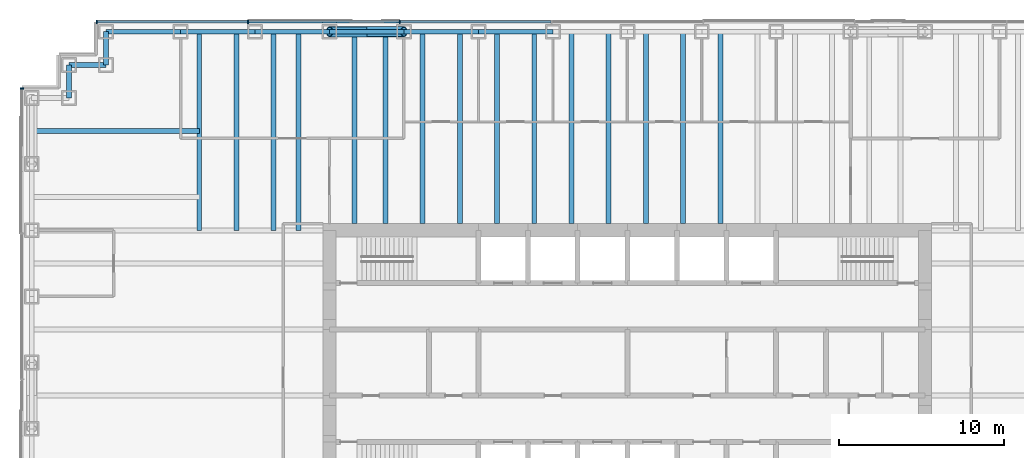
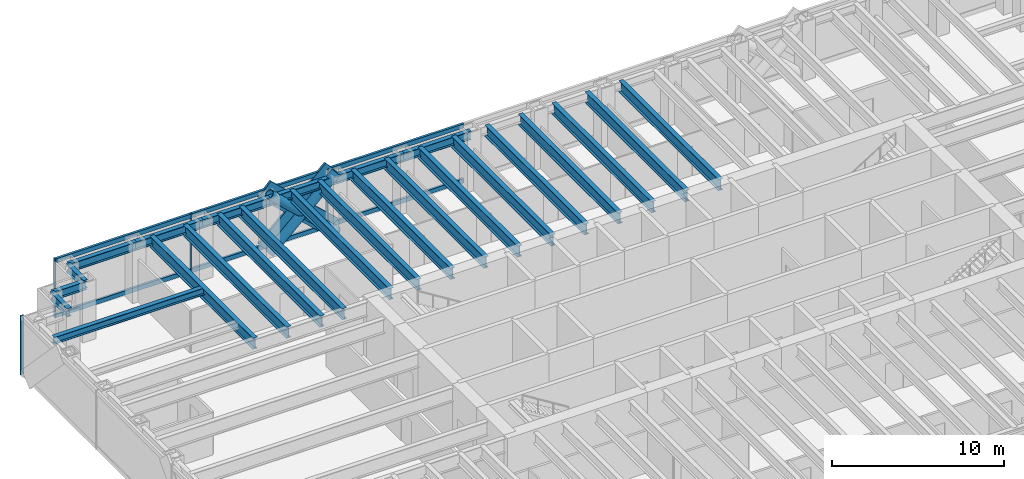
# One storey, part 5 of 14: 25 beams, 14 members, 2 elements without a shape of their own.
"""IFC4 building model written with IfcOpenShell, lengths in metres."""

from ifc_helpers import new_model, si_unit, direction, frame, origin, origin_2d, place, context, subcontext, project, spatial, rectangle, hollow_circle, i_section, extrude, material, material_profile, profile_set, type_object, element, aggregate, save


model = new_model("IFC4")

# Units and contexts
model_context = context("Model", 3, precision=1e-05, world=origin(), true_north=direction((0.0, 1.0)))
body_context = subcontext(model_context, "Body", "Model", "MODEL_VIEW")
ifc_project = project(units=[si_unit("LENGTHUNIT", "METRE"), si_unit("AREAUNIT", "SQUARE_METRE"), si_unit("VOLUMEUNIT", "CUBIC_METRE"), si_unit("PLANEANGLEUNIT", "RADIAN"), si_unit("MASSUNIT", "GRAM", prefix="KILO")], contexts=[model_context])

# Site, building, storey
site_placement = place(None, origin())
site = spatial("IfcSite", under=ifc_project, at=site_placement, CompositionType="ELEMENT")
building_placement = place(site_placement, origin())
building = spatial("IfcBuilding", under=site, at=building_placement, Name="Rheinbord Bourse Tower", CompositionType="ELEMENT")
storey_placement = place(building_placement, frame((0.0, 0.0, 198.39990234375)))
storey = spatial("IfcBuildingStorey", under=building, at=storey_placement, Name="L44", CompositionType="ELEMENT", Elevation=198.39990234375)

# Curtain wall, members
ifc_material_1 = material(Name="Dark glass and black aluminium", Category="aluminium")
curtain_wall_type = type_object("IfcCurtainWallType", Name="CW2 DARK GLASS CURTAIN WALL", PredefinedType="USERDEFINED", material=ifc_material_1)
curtain_wall_1_placement = place(storey_placement, origin())
curtain_wall_1 = element("IfcCurtainWall", 1, at=curtain_wall_1_placement, inside=storey, type_object=curtain_wall_type, Name="Curtain wall CW2 N L44", ObjectType="UNITISED CURTAIN WALL", PredefinedType="USERDEFINED")
ifc_material_2 = material(Name="Black anodised aluminium", Category="aluminium")
ifc_material_profile_1 = material_profile(ifc_material_2, rectangle(XDim=0.159912109375, YDim=1.2099609375, at=origin_2d()), Name="CW2 DIAGONAL MULLION 1210x160")
ifc_profile_set_1 = profile_set([ifc_material_profile_1], Name="Black anodised aluminium")
member_type_1 = type_object("IfcMemberType", Name="CW2 BLACK DIAGONAL MULLION", PredefinedType="USERDEFINED", material=ifc_profile_set_1)
member_1_placement = place(storey_placement, frame((18.0, 44.60009765625, 0.0), z_axis=(0.731039441158, 0.0, 0.682335207557), x_axis=(0.0, 1.0, 0.0)))
member_1 = element("IfcMember", 2, at=member_1_placement, type_object=member_type_1, Name="CW2 diagonal mullion b", ObjectType="DIAGONAL MULLION", PredefinedType="USERDEFINED", context=body_context, shape_type="SweptSolid", body=[
    extrude(rectangle(XDim=0.159912109375, YDim=1.2099609375, at=origin_2d()), origin(), (0.0, 0.0, 1.0), 6.155517578125),
])
member_2_placement = place(storey_placement, frame((22.5, 44.60009765625, 0.0), z_axis=(-0.731039441158, 0.0, 0.682335207557), x_axis=(0.0, -1.0, 0.0)))
member_2 = element("IfcMember", 3, at=member_2_placement, type_object=member_type_1, Name="CW2 diagonal mullion c", ObjectType="DIAGONAL MULLION", PredefinedType="USERDEFINED", context=body_context, shape_type="SweptSolid", body=[
    extrude(rectangle(XDim=0.159912109375, YDim=1.2099609375, at=origin_2d()), origin(), (0.0, 0.0, 1.0), 6.155517578125),
])
ifc_material_3 = material(Name="Black anodised aluminium", Category="aluminium")
ifc_material_profile_2 = material_profile(ifc_material_3, rectangle(XDim=0.219970703125, YDim=0.070068359375, at=origin_2d()), Name="CW2 MULLION 70x220")
ifc_profile_set_2 = profile_set([ifc_material_profile_2], Name="Black anodised aluminium")
member_type_2 = type_object("IfcMemberType", Name="CW2 BLACK MULLION", PredefinedType="MULLION", material=ifc_profile_set_2)
member_3_placement = place(storey_placement, frame((22.242919921875, 44.60009765625, 0.0), z_axis=(0.0, 0.0, 1.0), x_axis=(0.0, -1.0, 0.0)))
member_3 = element("IfcMember", 4, at=member_3_placement, type_object=member_type_2, Name="CW2 mullion 6", PredefinedType="MULLION", context=body_context, shape_type="SweptSolid", body=[
    extrude(rectangle(XDim=0.219970703125, YDim=0.070068359375, at=origin_2d()), origin(), (0.0, 0.0, 1.0), 4.2001953125),
])
member_4_placement = place(storey_placement, frame((13.071533203125, 44.60009765625, 0.0), z_axis=(0.0, 0.0, 1.0), x_axis=(0.0, -1.0, 0.0)))
member_4 = element("IfcMember", 5, at=member_4_placement, type_object=member_type_2, Name="CW2 mullion 7", PredefinedType="MULLION", context=body_context, shape_type="SweptSolid", body=[
    extrude(rectangle(XDim=0.219970703125, YDim=0.070068359375, at=origin_2d()), origin(), (0.0, 0.0, 1.0), 4.2001953125),
])
member_5_placement = place(storey_placement, frame((3.93505859375, 44.60009765625, 0.0), z_axis=(0.0, 0.0, 1.0), x_axis=(0.0, -1.0, 0.0)))
member_5 = element("IfcMember", 6, at=member_5_placement, type_object=member_type_2, Name="CW2 mullion 8", PredefinedType="MULLION", context=body_context, shape_type="SweptSolid", body=[
    extrude(rectangle(XDim=0.219970703125, YDim=0.070068359375, at=origin_2d()), origin(), (0.0, 0.0, 1.0), 4.2001953125),
])

# Curtain wall, member
curtain_wall_2_placement = place(storey_placement, origin())
curtain_wall_2 = element("IfcCurtainWall", 7, at=curtain_wall_2_placement, inside=storey, type_object=curtain_wall_type, Name="Curtain wall CW2 W L44", ObjectType="UNITISED CURTAIN WALL", PredefinedType="USERDEFINED")
member_6_placement = place(storey_placement, frame((-0.60009765625, 40.56494140625, 0.0), z_axis=(0.0, 0.0, 1.0), x_axis=(1.0, 0.0, 0.0)))
member_6 = element("IfcMember", 8, at=member_6_placement, type_object=member_type_2, Name="CW2 mullion 1", PredefinedType="MULLION", context=body_context, shape_type="SweptSolid", body=[
    extrude(rectangle(XDim=0.219970703125, YDim=0.070068359375, at=origin_2d()), origin(), (0.0, 0.0, 1.0), 4.2001953125),
])
aggregate(curtain_wall_2, [member_6])

# Member
ifc_material_4 = material(Name="Black anodised aluminium", Category="aluminium")
ifc_material_profile_3 = material_profile(ifc_material_4, rectangle(XDim=0.159912109375, YDim=0.300048828125, at=origin_2d()), Name="CW2 TRANSOM 300x160")
ifc_profile_set_3 = profile_set([ifc_material_profile_3], Name="Black anodised aluminium")
member_type_3 = type_object("IfcMemberType", Name="CW2 BLACK TRANSOM", PredefinedType="USERDEFINED", material=ifc_profile_set_3)
member_7_placement = place(storey_placement, frame((31.37939453125, 44.60009765625, 0.150146484375), z_axis=(-1.0, 0.0, 0.0), x_axis=(0.0, -1.0, 0.0)))
member_7 = element("IfcMember", 9, at=member_7_placement, type_object=member_type_3, Name="CW2 transom 5.1", ObjectType="TRANSOM", PredefinedType="USERDEFINED", context=body_context, shape_type="SweptSolid", body=[
    extrude(rectangle(XDim=0.159912109375, YDim=0.300048828125, at=origin_2d()), origin(), (0.0, 0.0, 1.0), 9.1015625),
])

member_8_placement = place(storey_placement, frame((31.37939453125, 44.60009765625, 4.050048828125), z_axis=(-1.0, 0.0, 0.0), x_axis=(0.0, -1.0, 0.0)))
member_8 = element("IfcMember", 10, at=member_8_placement, type_object=member_type_3, Name="CW2 transom 5.2", ObjectType="TRANSOM", PredefinedType="USERDEFINED", context=body_context, shape_type="SweptSolid", body=[
    extrude(rectangle(XDim=0.159912109375, YDim=0.300048828125, at=origin_2d()), origin(), (0.0, 0.0, 1.0), 9.1015625),
])

member_9_placement = place(storey_placement, frame((22.207763671875, 44.60009765625, 0.150146484375), z_axis=(-1.0, 0.0, 0.0), x_axis=(0.0, -1.0, 0.0)))
member_9 = element("IfcMember", 11, at=member_9_placement, type_object=member_type_3, Name="CW2 transom 6.1", ObjectType="TRANSOM", PredefinedType="USERDEFINED", context=body_context, shape_type="SweptSolid", body=[
    extrude(rectangle(XDim=0.159912109375, YDim=0.300048828125, at=origin_2d()), origin(), (0.0, 0.0, 1.0), 9.101318359375),
])

member_10_placement = place(storey_placement, frame((22.207763671875, 44.60009765625, 4.050048828125), z_axis=(-1.0, 0.0, 0.0), x_axis=(0.0, -1.0, 0.0)))
member_10 = element("IfcMember", 12, at=member_10_placement, type_object=member_type_3, Name="CW2 transom 6.2", ObjectType="TRANSOM", PredefinedType="USERDEFINED", context=body_context, shape_type="SweptSolid", body=[
    extrude(rectangle(XDim=0.159912109375, YDim=0.300048828125, at=origin_2d()), origin(), (0.0, 0.0, 1.0), 9.101318359375),
])

member_11_placement = place(storey_placement, frame((13.036376953125, 44.60009765625, 0.150146484375), z_axis=(-1.0, 0.0, 0.0), x_axis=(0.0, -1.0, 0.0)))
member_11 = element("IfcMember", 13, at=member_11_placement, type_object=member_type_3, Name="CW2 transom 7.1", ObjectType="TRANSOM", PredefinedType="USERDEFINED", context=body_context, shape_type="SweptSolid", body=[
    extrude(rectangle(XDim=0.159912109375, YDim=0.300048828125, at=origin_2d()), origin(), (0.0, 0.0, 1.0), 9.06640625),
])

member_12_placement = place(storey_placement, frame((13.036376953125, 44.60009765625, 4.050048828125), z_axis=(-1.0, 0.0, 0.0), x_axis=(0.0, -1.0, 0.0)))
member_12 = element("IfcMember", 14, at=member_12_placement, type_object=member_type_3, Name="CW2 transom 7.2", ObjectType="TRANSOM", PredefinedType="USERDEFINED", context=body_context, shape_type="SweptSolid", body=[
    extrude(rectangle(XDim=0.159912109375, YDim=0.300048828125, at=origin_2d()), origin(), (0.0, 0.0, 1.0), 9.06640625),
])

aggregate(curtain_wall_1, [member_3, member_4, member_5, member_7, member_8, member_9, member_10, member_11, member_12, member_1, member_2])

# Beams
ifc_material_5 = material(Name="Steel S460", Category="steel")
ifc_material_profile_4 = material_profile(ifc_material_5, i_section(OverallWidth=0.300048828125, OverallDepth=0.800048828125, WebThickness=0.017578125, FlangeThickness=0.032958984375, at=origin_2d()), Name="HEB 800")
ifc_profile_set_4 = profile_set([ifc_material_profile_4], Name="Steel S460")
beam_type_1 = type_object("IfcBeamType", Name="FLOOR BEAM HEB 800", PredefinedType="BEAM", material=ifc_profile_set_4)
for number, where, z_axis, x_axis, name in (
    (15, (10.125, 44.0, 3.64013671875), (0.0, -1.0, 0.0), (1.0, 0.0, 0.0), "Floor beam N-9a L45"),
    (16, (12.375, 44.0, 3.64013671875), (0.0, -1.0, 0.0), (1.0, 0.0, 0.0), "Floor beam N-9b L45"),
    (17, (14.625, 44.0, 3.64013671875), (0.0, -1.0, 0.0), (1.0, 0.0, 0.0), "Floor beam N-13.5a L45"),
    (18, (16.125, 44.0, 3.64013671875), (0.0, -1.0, 0.0), (1.0, 0.0, 0.0), "Floor beam N-13.5b L45"),
):
    element("IfcBeam", number, at=place(storey_placement, frame(where, z_axis=z_axis, x_axis=x_axis)), inside=storey, type_object=beam_type_1, Name=name, PredefinedType="BEAM", context=body_context, shape_type="SweptSolid", body=[
        extrude(i_section(OverallWidth=0.300048828125, OverallDepth=0.800048828125, WebThickness=0.017578125, FlangeThickness=0.032958984375, at=origin_2d()), origin(), (0.0, 0.0, 1.0), 12.0),
    ])
for number, where, z_axis, x_axis, name in (
    (19, (19.5, 44.0, 3.64013671875), (0.0, -1.0, 0.0), (1.0, 0.0, 0.0), "Floor beam N-18a L45"),
    (20, (21.375, 44.0, 3.64013671875), (0.0, -1.0, 0.0), (1.0, 0.0, 0.0), "Floor beam N-18b L45"),
    (21, (23.625, 44.0, 3.64013671875), (0.0, -1.0, 0.0), (1.0, 0.0, 0.0), "Floor beam N-22.5a L45"),
    (22, (25.875, 44.0, 3.64013671875), (0.0, -1.0, 0.0), (1.0, 0.0, 0.0), "Floor beam N-22.5b L45"),
    (23, (28.125, 44.0, 3.64013671875), (0.0, -1.0, 0.0), (1.0, 0.0, 0.0), "Floor beam N-27a L45"),
    (24, (30.375, 44.0, 3.64013671875), (0.0, -1.0, 0.0), (1.0, 0.0, 0.0), "Floor beam N-27b L45"),
    (25, (32.625, 44.0, 3.64013671875), (0.0, -1.0, 0.0), (1.0, 0.0, 0.0), "Floor beam N-31.5a L45"),
    (26, (34.875, 44.0, 3.64013671875), (0.0, -1.0, 0.0), (1.0, 0.0, 0.0), "Floor beam N-31.5b L45"),
    (27, (37.125, 44.0, 3.64013671875), (0.0, -1.0, 0.0), (1.0, 0.0, 0.0), "Floor beam N-36a L45"),
    (28, (39.375, 44.0, 3.64013671875), (0.0, -1.0, 0.0), (1.0, 0.0, 0.0), "Floor beam N-36b L45"),
    (29, (41.625, 44.0, 3.64013671875), (0.0, -1.0, 0.0), (1.0, 0.0, 0.0), "Floor beam N-40.5a L45"),
):
    element("IfcBeam", number, at=place(storey_placement, frame(where, z_axis=z_axis, x_axis=x_axis)), inside=storey, type_object=beam_type_1, Name=name, PredefinedType="BEAM", context=body_context, shape_type="SweptSolid", body=[
        extrude(i_section(OverallWidth=0.300048828125, OverallDepth=0.800048828125, WebThickness=0.017578125, FlangeThickness=0.032958984375, at=origin_2d()), origin(), (0.0, 0.0, 1.0), 11.60009765625),
    ])

# Members
ifc_material_6 = material(Name="Steel S460", Category="steel")
ifc_material_profile_5 = material_profile(ifc_material_6, hollow_circle(Radius=0.304931640625, WallThickness=0.0400390625, at=origin_2d()), Name="CHS 610x40")
ifc_profile_set_5 = profile_set([ifc_material_profile_5], Name="Steel S460")
member_type_4 = type_object("IfcMemberType", Name="MEGABRACE CHS 610x40", PredefinedType="BRACE", material=ifc_profile_set_5)
for number, where, z_axis, x_axis, name in (
    (30, (18.0, 44.0, 0.0), (0.731039441158, 0.0, 0.682335207557), (0.0, 1.0, 0.0), "Megabrace N face line b L44"),
    (31, (22.5, 44.0, 0.0), (-0.731039441158, 0.0, 0.682335207557), (0.0, -1.0, 0.0), "Megabrace N face line c L44"),
):
    element("IfcMember", number, at=place(storey_placement, frame(where, z_axis=z_axis, x_axis=x_axis)), inside=storey, type_object=member_type_4, Name=name, PredefinedType="BRACE", context=body_context, shape_type="SweptSolid", body=[
        extrude(hollow_circle(Radius=0.304931640625, WallThickness=0.0400390625, at=origin_2d()), origin(), (0.0, 0.0, 1.0), 6.155517578125),
    ])

# Beams
ifc_material_7 = material(Name="Steel S460", Category="steel")
ifc_material_profile_6 = material_profile(ifc_material_7, i_section(OverallWidth=0.300048828125, OverallDepth=0.60009765625, WebThickness=0.015380859375, FlangeThickness=0.030029296875, at=origin_2d()), Name="HEB 600")
ifc_profile_set_6 = profile_set([ifc_material_profile_6], Name="Steel S460")
beam_type_2 = type_object("IfcBeamType", Name="SPANDREL HEB 600", PredefinedType="SPANDREL", material=ifc_profile_set_6)
for number, where, z_axis, x_axis, name in (
    (32, (31.5, 44.0, 3.739990234375), (-1.0, 0.0, 0.0), (0.0, -1.0, 0.0), "Spandrel N-31.5-N-27 under L45"),
    (33, (27.0, 44.0, 3.739990234375), (-1.0, 0.0, 0.0), (0.0, -1.0, 0.0), "Spandrel N-27-N-22.5 under L45"),
    (34, (22.5, 44.0, 3.739990234375), (-1.0, 0.0, 0.0), (0.0, -1.0, 0.0), "Spandrel N-22.5-N-18 under L45"),
    (35, (18.0, 44.0, 3.739990234375), (-1.0, 0.0, 0.0), (0.0, -1.0, 0.0), "Spandrel N-18-N-13.5 under L45"),
    (36, (13.5, 44.0, 3.739990234375), (-1.0, 0.0, 0.0), (0.0, -1.0, 0.0), "Spandrel N-13.5-N-9 under L45"),
    (37, (9.0, 44.0, 3.739990234375), (-1.0, 0.0, 0.0), (0.0, -1.0, 0.0), "Spandrel N-9-NW-E under L45"),
):
    element("IfcBeam", number, at=place(storey_placement, frame(where, z_axis=z_axis, x_axis=x_axis)), inside=storey, type_object=beam_type_2, Name=name, PredefinedType="SPANDREL", context=body_context, shape_type="SweptSolid", body=[
        extrude(i_section(OverallWidth=0.300048828125, OverallDepth=0.60009765625, WebThickness=0.015380859375, FlangeThickness=0.030029296875, at=origin_2d()), origin(), (0.0, 0.0, 1.0), 4.5),
    ])
beam_1_placement = place(storey_placement, frame((4.5, 44.0, 3.739990234375), z_axis=(0.0, -1.0, 0.0), x_axis=(1.0, 0.0, 0.0)))
element("IfcBeam", 38, at=beam_1_placement, inside=storey, type_object=beam_type_2, Name="Spandrel NW-E-NW-D under L45", PredefinedType="SPANDREL", context=body_context, shape_type="SweptSolid", body=[
    extrude(i_section(OverallWidth=0.300048828125, OverallDepth=0.60009765625, WebThickness=0.015380859375, FlangeThickness=0.030029296875, at=origin_2d()), origin(), (0.0, 0.0, 1.0), 2.0),
])
beam_2_placement = place(storey_placement, frame((4.5, 42.0, 3.739990234375), z_axis=(-1.0, 0.0, 0.0), x_axis=(0.0, -1.0, 0.0)))
element("IfcBeam", 39, at=beam_2_placement, inside=storey, type_object=beam_type_2, Name="Spandrel NW-D-NW-C under L45", PredefinedType="SPANDREL", context=body_context, shape_type="SweptSolid", body=[
    extrude(i_section(OverallWidth=0.300048828125, OverallDepth=0.60009765625, WebThickness=0.015380859375, FlangeThickness=0.030029296875, at=origin_2d()), origin(), (0.0, 0.0, 1.0), 2.25),
])
beam_3_placement = place(storey_placement, frame((2.25, 42.0, 3.739990234375), z_axis=(0.0, -1.0, 0.0), x_axis=(1.0, 0.0, 0.0)))
element("IfcBeam", 40, at=beam_3_placement, inside=storey, type_object=beam_type_2, Name="Spandrel NW-C-NW-B under L45", PredefinedType="SPANDREL", context=body_context, shape_type="SweptSolid", body=[
    extrude(i_section(OverallWidth=0.300048828125, OverallDepth=0.60009765625, WebThickness=0.015380859375, FlangeThickness=0.030029296875, at=origin_2d()), origin(), (0.0, 0.0, 1.0), 2.0),
])
ifc_material_8 = material(Name="Steel S460", Category="steel")
ifc_material_profile_7 = material_profile(ifc_material_8, i_section(OverallWidth=0.300048828125, OverallDepth=0.5, WebThickness=0.014404296875, FlangeThickness=0.028076171875, at=origin_2d()), Name="HEB 500")
ifc_profile_set_7 = profile_set([ifc_material_profile_7], Name="Steel S460")
beam_type_3 = type_object("IfcBeamType", Name="TIE BEAM HEB 500", PredefinedType="JOIST", material=ifc_profile_set_7)
beam_4_placement = place(storey_placement, frame((0.0, 38.0, 3.7900390625), z_axis=(1.0, 0.0, 0.0), x_axis=(0.0, 1.0, 0.0)))
element("IfcBeam", 41, at=beam_4_placement, inside=storey, type_object=beam_type_3, Name="Tie west 38 L45", PredefinedType="JOIST", context=body_context, shape_type="SweptSolid", body=[
    extrude(i_section(OverallWidth=0.300048828125, OverallDepth=0.5, WebThickness=0.014404296875, FlangeThickness=0.028076171875, at=origin_2d()), origin(), (0.0, 0.0, 1.0), 10.125),
])

save(model, "model.ifc")
